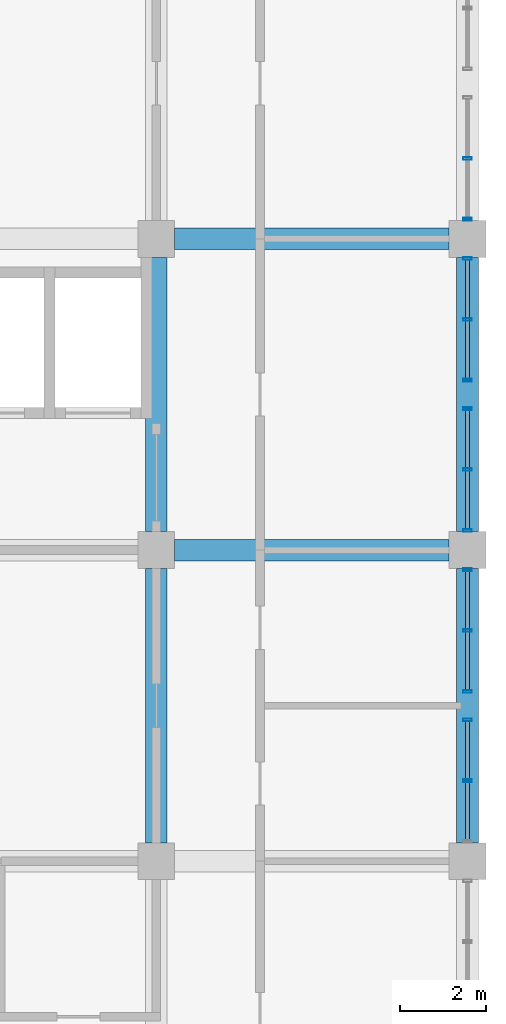
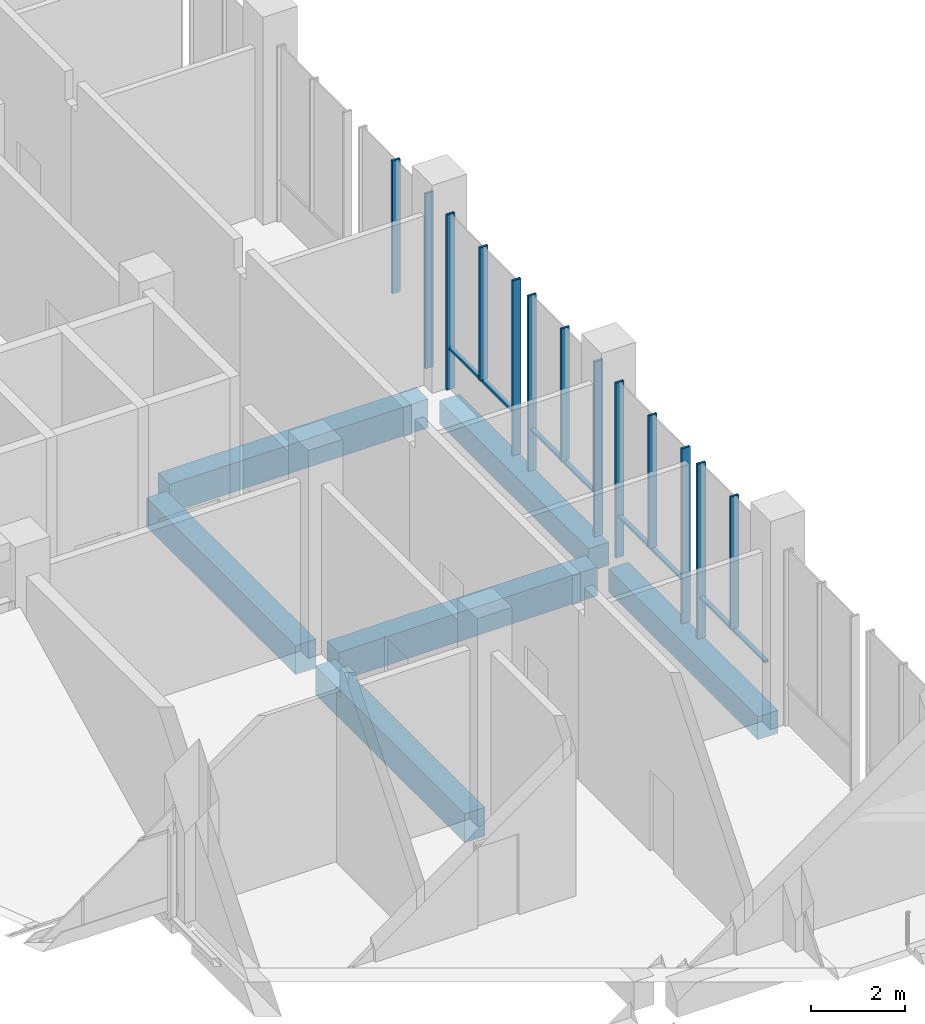
# One storey, part 49 of 83: 17 members, 6 beams, 5 elements without a shape of their own.
"""IFC4 building model written with IfcOpenShell, lengths in metres."""

from ifc_helpers import new_model, si_unit, direction, frame, origin, origin_2d, place, context, subcontext, project, spatial, rectangle, hollow_rectangle, extrude, material, material_profile, profile_set, type_object, element, aggregate, save


model = new_model("IFC4")

# Units and contexts
model_context = context("Model", 3, precision=1e-05, world=origin(), true_north=direction((0.0, 1.0)))
body_context = subcontext(model_context, "Body", "Model", "MODEL_VIEW")
ifc_project = project(units=[si_unit("LENGTHUNIT", "METRE"), si_unit("AREAUNIT", "SQUARE_METRE"), si_unit("VOLUMEUNIT", "CUBIC_METRE"), si_unit("PLANEANGLEUNIT", "RADIAN"), si_unit("MASSUNIT", "GRAM", prefix="KILO")], contexts=[model_context])

# Site, building, storey
site_placement = place(None, origin())
site = spatial("IfcSite", under=ifc_project, at=site_placement, CompositionType="ELEMENT")
building_placement = place(site_placement, origin())
building = spatial("IfcBuilding", under=site, at=building_placement, Name="Silangan Lancet Faculty of Sciences", CompositionType="ELEMENT")
storey_placement = place(building_placement, frame((0.0, 0.0, 11.39990234375)))
storey = spatial("IfcBuildingStorey", under=building, at=storey_placement, Name="L02", CompositionType="ELEMENT", Elevation=11.39990234375)

# Beams
ifc_material_1 = material(Name="Concrete C40/50", Category="concrete")
ifc_material_profile_1 = material_profile(ifc_material_1, rectangle(XDim=0.5, YDim=0.60009765625, at=origin_2d()), Name="RC 500x600")
ifc_profile_set_1 = profile_set([ifc_material_profile_1], Name="Concrete C40/50")
beam_type_1 = type_object("IfcBeamType", Name="BEAM RC 500x600", PredefinedType="BEAM", material=ifc_profile_set_1)
for number, where, z_axis, x_axis, name in (
    (1, (86.39990234375, 14.824951171875, -0.5498046875), (0.0, 1.0, 0.0), (-1.0, 0.0, 0.0), "BM-L02-13C-13D"),
    (2, (86.39990234375, 22.02490234375, -0.5498046875), (0.0, 1.0, 0.0), (-1.0, 0.0, 0.0), "BM-L02-13D-13E"),
):
    element("IfcBeam", number, at=place(storey_placement, frame(where, z_axis=z_axis, x_axis=x_axis)), inside=storey, type_object=beam_type_1, Name=name, PredefinedType="BEAM", context=body_context, shape_type="SweptSolid", body=[
        extrude(rectangle(XDim=0.5, YDim=0.60009765625, at=origin_2d()), origin(), (0.0, 0.0, 1.0), 6.35009765625),
    ])
ifc_material_2 = material(Name="Concrete C40/50", Category="concrete")
ifc_material_profile_2 = material_profile(ifc_material_2, rectangle(XDim=0.5, YDim=0.75, at=origin_2d()), Name="RC 500x750")
ifc_profile_set_2 = profile_set([ifc_material_profile_2], Name="Concrete C40/50")
beam_type_2 = type_object("IfcBeamType", Name="BEAM RC 500x750", PredefinedType="BEAM", material=ifc_profile_set_2)
for number, where, z_axis, x_axis, name in (
    (3, (79.625, 21.60009765625, -0.625), (1.0, 0.0, 0.0), (0.0, 1.0, 0.0), "BM-L02-12D-13D"),
    (4, (79.625, 28.800048828125, -0.625), (1.0, 0.0, 0.0), (0.0, 1.0, 0.0), "BM-L02-12E-13E"),
    (5, (79.199951171875, 14.824951171875, -0.625), (0.0, 1.0, 0.0), (-1.0, 0.0, 0.0), "BM-L02-12C-12D"),
    (6, (79.199951171875, 22.02490234375, -0.625), (0.0, 1.0, 0.0), (-1.0, 0.0, 0.0), "BM-L02-12D-12E"),
):
    element("IfcBeam", number, at=place(storey_placement, frame(where, z_axis=z_axis, x_axis=x_axis)), inside=storey, type_object=beam_type_2, Name=name, PredefinedType="BEAM", context=body_context, shape_type="SweptSolid", body=[
        extrude(rectangle(XDim=0.5, YDim=0.75, at=origin_2d()), origin(), (0.0, 0.0, 1.0), 6.35009765625),
    ])

# Curtain wall, members
ifc_material_3 = material(Name="Aluminium framed curtain wall with insulated glass", Category="aluminium")
curtain_wall_type = type_object("IfcCurtainWallType", Name="CW1 Commons and east block glazing", PredefinedType="NOTDEFINED", material=ifc_material_3)
curtain_wall_1_placement = place(storey_placement, origin())
curtain_wall_1 = element("IfcCurtainWall", 7, at=curtain_wall_1_placement, inside=storey, type_object=curtain_wall_type, Name="CW1 East commons L02 bay 3", PredefinedType="NOTDEFINED")
ifc_material_4 = material(Name="Aluminium 6063-T6 extrusion", Category="aluminium")
ifc_material_profile_3 = material_profile(ifc_material_4, hollow_rectangle(XDim=0.06005859375, YDim=0.199951171875, WallThickness=0.00390625, at=origin_2d()), Name="AL BOX 60x200x4")
ifc_profile_set_3 = profile_set([ifc_material_profile_3], Name="Aluminium 6063-T6 extrusion")
member_type_1 = type_object("IfcMemberType", Name="CM1 Mullion 60x200", PredefinedType="MULLION", material=ifc_profile_set_3)
member_1_placement = place(storey_placement, frame((86.39990234375, 17.669921875, 0.0), z_axis=(0.0, 0.0, 1.0), x_axis=(0.0, 1.0, 0.0)))
member_1 = element("IfcMember", 8, at=member_1_placement, type_object=member_type_1, Name="CW1 East commons L02 bay 3 mullion 2", PredefinedType="MULLION", context=body_context, shape_type="SweptSolid", body=[
    extrude(hollow_rectangle(XDim=0.06005859375, YDim=0.199951171875, WallThickness=0.00390625, at=origin_2d()), origin(), (0.0, 0.0, 1.0), 4.550048828125),
])
member_2_placement = place(storey_placement, frame((86.39990234375, 16.262451171875, 1.10009765625), z_axis=(0.0, 0.0, 1.0), x_axis=(0.0, 1.0, 0.0)))
member_2 = element("IfcMember", 9, at=member_2_placement, type_object=member_type_1, Name="CW1 East commons L02 bay 3 mullion 3", PredefinedType="MULLION", context=body_context, shape_type="SweptSolid", body=[
    extrude(hollow_rectangle(XDim=0.06005859375, YDim=0.199951171875, WallThickness=0.00390625, at=origin_2d()), origin(), (0.0, 0.0, 1.0), 3.449951171875),
])

curtain_wall_2_placement = place(storey_placement, origin())
curtain_wall_2 = element("IfcCurtainWall", 10, at=curtain_wall_2_placement, inside=storey, type_object=curtain_wall_type, Name="CW1 East commons L02 bay 4", PredefinedType="NOTDEFINED")
member_3_placement = place(storey_placement, frame((86.39990234375, 18.330078125, 0.0), z_axis=(0.0, 0.0, 1.0), x_axis=(0.0, 1.0, 0.0)))
member_3 = element("IfcMember", 11, at=member_3_placement, type_object=member_type_1, Name="CW1 East commons L02 bay 4 mullion 1", PredefinedType="MULLION", context=body_context, shape_type="SweptSolid", body=[
    extrude(hollow_rectangle(XDim=0.06005859375, YDim=0.199951171875, WallThickness=0.00390625, at=origin_2d()), origin(), (0.0, 0.0, 1.0), 4.550048828125),
])
member_4_placement = place(storey_placement, frame((86.39990234375, 21.14501953125, 0.0), z_axis=(0.0, 0.0, 1.0), x_axis=(0.0, 1.0, 0.0)))
member_4 = element("IfcMember", 12, at=member_4_placement, type_object=member_type_1, Name="CW1 East commons L02 bay 4 mullion 2", PredefinedType="MULLION", context=body_context, shape_type="SweptSolid", body=[
    extrude(hollow_rectangle(XDim=0.06005859375, YDim=0.199951171875, WallThickness=0.00390625, at=origin_2d()), origin(), (0.0, 0.0, 1.0), 4.550048828125),
])
member_5_placement = place(storey_placement, frame((86.39990234375, 19.737548828125, 1.10009765625), z_axis=(0.0, 0.0, 1.0), x_axis=(0.0, 1.0, 0.0)))
member_5 = element("IfcMember", 13, at=member_5_placement, type_object=member_type_1, Name="CW1 East commons L02 bay 4 mullion 3", PredefinedType="MULLION", context=body_context, shape_type="SweptSolid", body=[
    extrude(hollow_rectangle(XDim=0.06005859375, YDim=0.199951171875, WallThickness=0.00390625, at=origin_2d()), origin(), (0.0, 0.0, 1.0), 3.449951171875),
])

curtain_wall_3_placement = place(storey_placement, origin())
curtain_wall_3 = element("IfcCurtainWall", 14, at=curtain_wall_3_placement, inside=storey, type_object=curtain_wall_type, Name="CW1 East commons L02 bay 5", PredefinedType="NOTDEFINED")
member_6_placement = place(storey_placement, frame((86.39990234375, 22.054931640625, 0.0), z_axis=(0.0, 0.0, 1.0), x_axis=(0.0, 1.0, 0.0)))
member_6 = element("IfcMember", 15, at=member_6_placement, type_object=member_type_1, Name="CW1 East commons L02 bay 5 mullion 1", PredefinedType="MULLION", context=body_context, shape_type="SweptSolid", body=[
    extrude(hollow_rectangle(XDim=0.06005859375, YDim=0.199951171875, WallThickness=0.00390625, at=origin_2d()), origin(), (0.0, 0.0, 1.0), 4.550048828125),
])
member_7_placement = place(storey_placement, frame((86.39990234375, 24.8701171875, 0.0), z_axis=(0.0, 0.0, 1.0), x_axis=(0.0, 1.0, 0.0)))
member_7 = element("IfcMember", 16, at=member_7_placement, type_object=member_type_1, Name="CW1 East commons L02 bay 5 mullion 2", PredefinedType="MULLION", context=body_context, shape_type="SweptSolid", body=[
    extrude(hollow_rectangle(XDim=0.06005859375, YDim=0.199951171875, WallThickness=0.00390625, at=origin_2d()), origin(), (0.0, 0.0, 1.0), 4.550048828125),
])
member_8_placement = place(storey_placement, frame((86.39990234375, 23.46240234375, 1.10009765625), z_axis=(0.0, 0.0, 1.0), x_axis=(0.0, 1.0, 0.0)))
member_8 = element("IfcMember", 17, at=member_8_placement, type_object=member_type_1, Name="CW1 East commons L02 bay 5 mullion 3", PredefinedType="MULLION", context=body_context, shape_type="SweptSolid", body=[
    extrude(hollow_rectangle(XDim=0.06005859375, YDim=0.199951171875, WallThickness=0.00390625, at=origin_2d()), origin(), (0.0, 0.0, 1.0), 3.449951171875),
])

curtain_wall_4_placement = place(storey_placement, origin())
curtain_wall_4 = element("IfcCurtainWall", 18, at=curtain_wall_4_placement, inside=storey, type_object=curtain_wall_type, Name="CW1 East commons L02 bay 6", PredefinedType="NOTDEFINED")
member_9_placement = place(storey_placement, frame((86.39990234375, 25.530029296875, 0.0), z_axis=(0.0, 0.0, 1.0), x_axis=(0.0, 1.0, 0.0)))
member_9 = element("IfcMember", 19, at=member_9_placement, type_object=member_type_1, Name="CW1 East commons L02 bay 6 mullion 1", PredefinedType="MULLION", context=body_context, shape_type="SweptSolid", body=[
    extrude(hollow_rectangle(XDim=0.06005859375, YDim=0.199951171875, WallThickness=0.00390625, at=origin_2d()), origin(), (0.0, 0.0, 1.0), 4.550048828125),
])
member_10_placement = place(storey_placement, frame((86.39990234375, 28.344970703125, 0.0), z_axis=(0.0, 0.0, 1.0), x_axis=(0.0, 1.0, 0.0)))
member_10 = element("IfcMember", 20, at=member_10_placement, type_object=member_type_1, Name="CW1 East commons L02 bay 6 mullion 2", PredefinedType="MULLION", context=body_context, shape_type="SweptSolid", body=[
    extrude(hollow_rectangle(XDim=0.06005859375, YDim=0.199951171875, WallThickness=0.00390625, at=origin_2d()), origin(), (0.0, 0.0, 1.0), 4.550048828125),
])
member_11_placement = place(storey_placement, frame((86.39990234375, 26.9375, 1.10009765625), z_axis=(0.0, 0.0, 1.0), x_axis=(0.0, 1.0, 0.0)))
member_11 = element("IfcMember", 21, at=member_11_placement, type_object=member_type_1, Name="CW1 East commons L02 bay 6 mullion 3", PredefinedType="MULLION", context=body_context, shape_type="SweptSolid", body=[
    extrude(hollow_rectangle(XDim=0.06005859375, YDim=0.199951171875, WallThickness=0.00390625, at=origin_2d()), origin(), (0.0, 0.0, 1.0), 3.449951171875),
])

curtain_wall_5_placement = place(storey_placement, origin())
curtain_wall_5 = element("IfcCurtainWall", 22, at=curtain_wall_5_placement, inside=storey, type_object=curtain_wall_type, Name="CW1 East commons L02 bay 7", PredefinedType="NOTDEFINED")
member_12_placement = place(storey_placement, frame((86.39990234375, 29.2548828125, 0.0), z_axis=(0.0, 0.0, 1.0), x_axis=(0.0, 1.0, 0.0)))
member_12 = element("IfcMember", 23, at=member_12_placement, type_object=member_type_1, Name="CW1 East commons L02 bay 7 mullion 1", PredefinedType="MULLION", context=body_context, shape_type="SweptSolid", body=[
    extrude(hollow_rectangle(XDim=0.06005859375, YDim=0.199951171875, WallThickness=0.00390625, at=origin_2d()), origin(), (0.0, 0.0, 1.0), 4.550048828125),
])
member_13_placement = place(storey_placement, frame((86.39990234375, 30.662353515625, 1.10009765625), z_axis=(0.0, 0.0, 1.0), x_axis=(0.0, 1.0, 0.0)))
member_13 = element("IfcMember", 24, at=member_13_placement, type_object=member_type_1, Name="CW1 East commons L02 bay 7 mullion 3", PredefinedType="MULLION", context=body_context, shape_type="SweptSolid", body=[
    extrude(hollow_rectangle(XDim=0.06005859375, YDim=0.199951171875, WallThickness=0.00390625, at=origin_2d()), origin(), (0.0, 0.0, 1.0), 3.449951171875),
])
aggregate(curtain_wall_5, [member_12, member_13])

# Member
ifc_material_5 = material(Name="Aluminium 6063-T6 extrusion", Category="aluminium")
ifc_material_profile_4 = material_profile(ifc_material_5, hollow_rectangle(XDim=0.10009765625, YDim=0.06005859375, WallThickness=0.0029296875, at=origin_2d()), Name="AL BOX 100x60x3")
ifc_profile_set_4 = profile_set([ifc_material_profile_4], Name="Aluminium 6063-T6 extrusion")
member_type_2 = type_object("IfcMemberType", Name="CT1 Transom 100x60", PredefinedType="USERDEFINED", material=ifc_profile_set_4)
member_14_placement = place(storey_placement, frame((86.39990234375, 14.885009765625, 1.070068359375), z_axis=(0.0, 1.0, 0.0), x_axis=(-1.0, 0.0, 0.0)))
member_14 = element("IfcMember", 25, at=member_14_placement, type_object=member_type_2, Name="CW1 East commons L02 bay 3 transom 1", ObjectType="TRANSOM", PredefinedType="USERDEFINED", context=body_context, shape_type="SweptSolid", body=[
    extrude(hollow_rectangle(XDim=0.10009765625, YDim=0.06005859375, WallThickness=0.0029296875, at=origin_2d()), origin(), (0.0, 0.0, 1.0), 2.7548828125),
])

aggregate(curtain_wall_1, [member_1, member_2, member_14])

member_15_placement = place(storey_placement, frame((86.39990234375, 18.360107421875, 1.070068359375), z_axis=(0.0, 1.0, 0.0), x_axis=(-1.0, 0.0, 0.0)))
member_15 = element("IfcMember", 26, at=member_15_placement, type_object=member_type_2, Name="CW1 East commons L02 bay 4 transom 1", ObjectType="TRANSOM", PredefinedType="USERDEFINED", context=body_context, shape_type="SweptSolid", body=[
    extrude(hollow_rectangle(XDim=0.10009765625, YDim=0.06005859375, WallThickness=0.0029296875, at=origin_2d()), origin(), (0.0, 0.0, 1.0), 2.7548828125),
])

aggregate(curtain_wall_2, [member_3, member_4, member_5, member_15])

member_16_placement = place(storey_placement, frame((86.39990234375, 22.0849609375, 1.070068359375), z_axis=(0.0, 1.0, 0.0), x_axis=(-1.0, 0.0, 0.0)))
member_16 = element("IfcMember", 27, at=member_16_placement, type_object=member_type_2, Name="CW1 East commons L02 bay 5 transom 1", ObjectType="TRANSOM", PredefinedType="USERDEFINED", context=body_context, shape_type="SweptSolid", body=[
    extrude(hollow_rectangle(XDim=0.10009765625, YDim=0.06005859375, WallThickness=0.0029296875, at=origin_2d()), origin(), (0.0, 0.0, 1.0), 2.755126953125),
])

aggregate(curtain_wall_3, [member_6, member_7, member_8, member_16])

member_17_placement = place(storey_placement, frame((86.39990234375, 25.56005859375, 1.070068359375), z_axis=(0.0, 1.0, 0.0), x_axis=(-1.0, 0.0, 0.0)))
member_17 = element("IfcMember", 28, at=member_17_placement, type_object=member_type_2, Name="CW1 East commons L02 bay 6 transom 1", ObjectType="TRANSOM", PredefinedType="USERDEFINED", context=body_context, shape_type="SweptSolid", body=[
    extrude(hollow_rectangle(XDim=0.10009765625, YDim=0.06005859375, WallThickness=0.0029296875, at=origin_2d()), origin(), (0.0, 0.0, 1.0), 2.7548828125),
])

aggregate(curtain_wall_4, [member_9, member_10, member_11, member_17])

save(model, "model.ifc")
